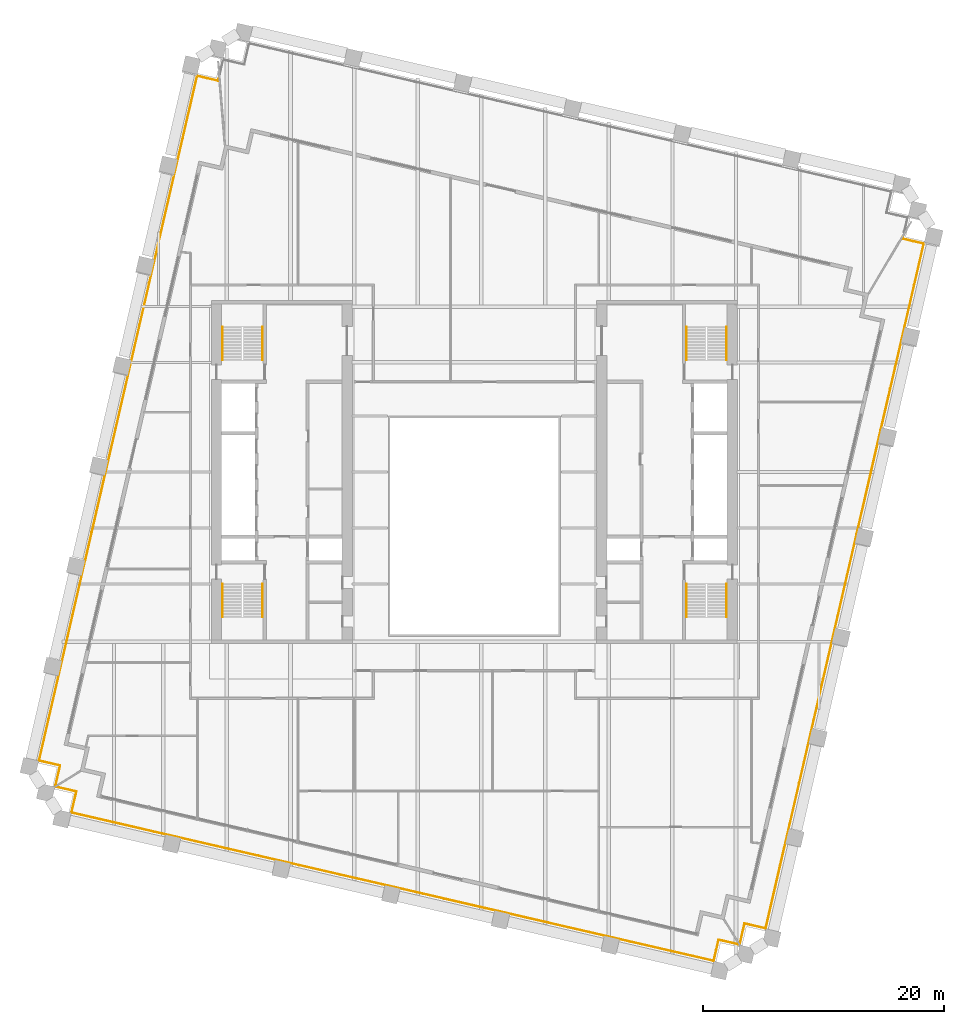
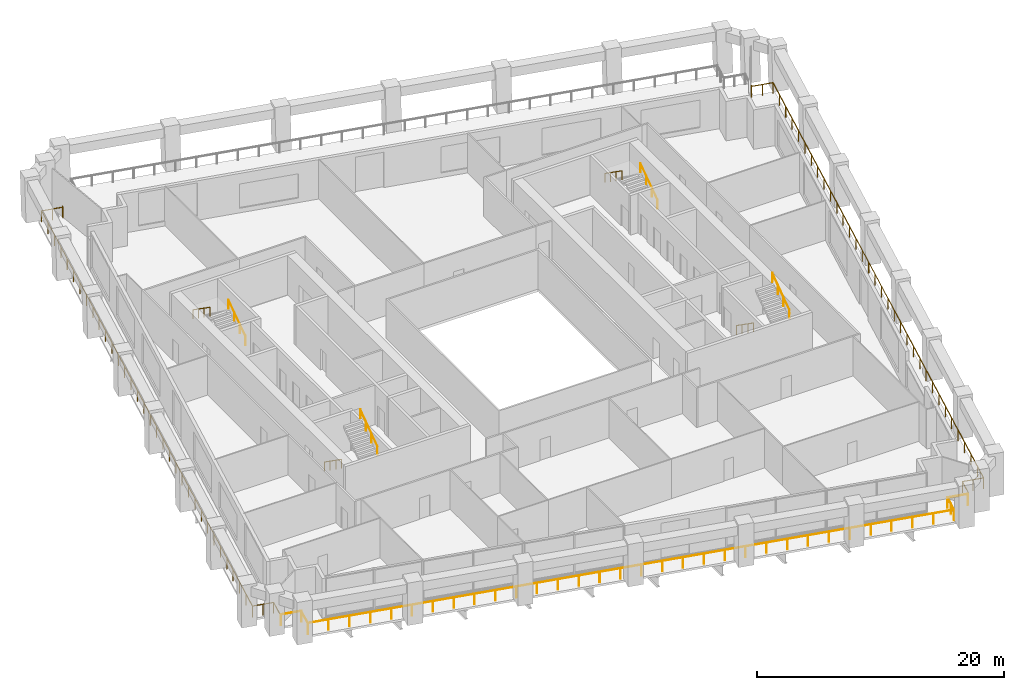
# One storey, part 11 of 12: 11 railings.
"""IFC4 building model written with IfcOpenShell, lengths in metres."""

import ifcopenshell
import ifcopenshell.guid

model = None  # the IFC model being written
_history = None  # IfcOwnerHistory: only IFC2X3 demands one
_inside = {}  # id of a spatial element -> (the spatial element, [elements in it])
_under = {}  # id of a project, library or spatial element -> (it, [spatial elements below it])
_declared = {}  # id of a project -> (the project, [libraries it declares])
_typed = {}  # id of a type object -> (the type object, [elements of that type])
_made_of = {}  # id of a material, layer set ... -> (it, [elements and type objects made of it])


def new_model(schema):
    """Start an empty IFC model of exactly this schema.

    Asked for "IFC4X3", IfcOpenShell would pick the latest addendum, in which some entities
    have other attributes; the version numbers below select the first issue.
    IFC2X3 requires an IfcOwnerHistory on every rooted entity: one is made here for all.
    """
    global model, _history
    if schema == "IFC4X3":
        model = ifcopenshell.file(schema_version=(4, 3, 0, 0))
    else:
        model = ifcopenshell.file(schema=schema)
    _inside.clear()
    _under.clear()
    _declared.clear()
    _typed.clear()
    _made_of.clear()
    _history = None
    if model.schema == "IFC2X3":
        org = make("IfcOrganization", Name="unknown")
        user = make(
            "IfcPersonAndOrganization",
            ThePerson=make("IfcPerson", FamilyName="unknown"),
            TheOrganization=org,
        )
        app = make(
            "IfcApplication",
            ApplicationDeveloper=org,
            Version="unknown",
            ApplicationFullName="unknown",
            ApplicationIdentifier="unknown",
        )
        _history = make(
            "IfcOwnerHistory",
            OwningUser=user,
            OwningApplication=app,
            ChangeAction="ADDED",
            CreationDate=0,
        )
    return model


def make(cls, **values):
    """One entity of the class cls with the attributes given. An attribute that is None is left unset."""
    return model.create_entity(
        cls, **{name: value for name, value in values.items() if value is not None}
    )


def rooted(cls, **values):
    """An entity with a GlobalId (a new one), such as an element, a storey or a relation."""
    return make(cls, GlobalId=ifcopenshell.guid.new(), OwnerHistory=_history, **values)


def si_unit(unit_type, name, prefix=None):
    """IfcSIUnit, for example si_unit("LENGTHUNIT", "METRE", prefix="MILLI")."""
    return make("IfcSIUnit", UnitType=unit_type, Prefix=prefix, Name=name)


def assignment(units):
    """IfcUnitAssignment: the units of a project."""
    return None if units is None else make("IfcUnitAssignment", Units=units)


def point(xyz):
    """IfcCartesianPoint."""
    return None if xyz is None else make("IfcCartesianPoint", Coordinates=xyz)


def direction(xyz):
    """IfcDirection."""
    return None if xyz is None else make("IfcDirection", DirectionRatios=xyz)


def frame(location, z_axis=None, x_axis=None):
    """IfcAxis2Placement3D, a coordinate frame: its origin and axes. An axis left out is left unset."""
    return make(
        "IfcAxis2Placement3D",
        Location=point(location),
        Axis=direction(z_axis),
        RefDirection=direction(x_axis),
    )


def frame_2d(location, x_axis=None):
    """IfcAxis2Placement2D, a coordinate frame in the plane: its origin and x axis."""
    return make(
        "IfcAxis2Placement2D", Location=point(location), RefDirection=direction(x_axis)
    )


def origin():
    """The frame at (0, 0, 0) with its axes left unset."""
    return frame((0.0, 0.0, 0.0))


def origin_2d():
    """The frame at (0, 0) in the plane with its x axis left unset."""
    return frame_2d((0.0, 0.0))


def place(relative_to, where):
    """IfcLocalPlacement: puts the frame where relative to a parent placement (None: the world)."""
    return make(
        "IfcLocalPlacement", PlacementRelTo=relative_to, RelativePlacement=where
    )


def context(
    kind, dimensions, precision=None, world=None, true_north=None, identifier=None
):
    """IfcGeometricRepresentationContext, for example the 3D "Model" context."""
    return make(
        "IfcGeometricRepresentationContext",
        ContextIdentifier=identifier,
        ContextType=kind,
        CoordinateSpaceDimension=dimensions,
        Precision=precision,
        WorldCoordinateSystem=world,
        TrueNorth=true_north,
    )


def subcontext(parent, identifier, kind, view, scale=None):
    """IfcGeometricRepresentationSubContext, for example "Body" below "Model"."""
    return make(
        "IfcGeometricRepresentationSubContext",
        ContextIdentifier=identifier,
        ContextType=kind,
        ParentContext=parent,
        TargetScale=scale,
        TargetView=view,
    )


def project(units=None, contexts=None):
    """IfcProject with its units and contexts."""
    return rooted(
        "IfcProject",
        Name="project",
        RepresentationContexts=contexts,
        UnitsInContext=assignment(units),
    )


def spatial(cls, under=None, at=None, **own):
    """A site, building, storey or space (cls), placed at a placement, below another one or the project."""
    s = rooted(cls, ObjectPlacement=at, **own)
    if under is not None:
        _under.setdefault(under.id(), (under, []))[1].append(s)
    return s


def profile(cls, at=None, kind="AREA", **sizes):
    """A parametric profile (cls). Its sizes go by their IFC names, for example OverallWidth=200.0."""
    return make(cls, ProfileType=kind, Position=at, **sizes)


def circle(**sizes):
    """IfcCircleProfileDef."""
    return profile("IfcCircleProfileDef", **sizes)


def extrude(swept, where, along, depth):
    """IfcExtrudedAreaSolid: the profile swept, set in the frame where, extruded along a direction by depth."""
    return make(
        "IfcExtrudedAreaSolid",
        SweptArea=swept,
        Position=where,
        ExtrudedDirection=direction(along),
        Depth=depth,
    )


def shape(context_of_items, identifier, shape_type, items):
    """IfcShapeRepresentation: the items that make up one representation, for example the "Body"."""
    return make(
        "IfcShapeRepresentation",
        ContextOfItems=context_of_items,
        RepresentationIdentifier=identifier,
        RepresentationType=shape_type,
        Items=items,
    )


def material(Name=None, Category=None):
    """IfcMaterial."""
    return make("IfcMaterial", Name=Name, Category=Category)


def made_of(thing, what):
    """Note that an element or type object is made of a material, layer set ...; save() writes the relation."""
    if what is not None:
        _made_of.setdefault(what.id(), (what, []))[1].append(thing)
    return thing


def type_object(cls, material=None, **own):
    """A type object (cls), such as IfcWallType, which elements share."""
    return made_of(rooted(cls, **own), material)


def element(
    cls,
    number,
    at=None,
    inside=None,
    cuts=None,
    type_object=None,
    material=None,
    context=None,
    identifier="Body",
    shape_type=None,
    held_by="IfcProductDefinitionShape",
    body=None,
    shapes=None,
    **own,
):
    """One element of the class cls, such as IfcWall. Its Tag is "e" and its number.

    at: its placement. inside: the storey or other place that contains it. cuts: it is an
    opening in that element (IfcRelVoidsElement). A single representation is given by context,
    identifier, shape_type and body (its items); several are given by shapes. held_by: the class
    of the entity that holds the representations. save() writes the other relations.
    """
    e = rooted(cls, Tag="e%d" % number, ObjectPlacement=at, **own)
    if body is not None:
        shapes = [shape(context, identifier, shape_type, body)]
    if shapes is not None:
        e.Representation = make(held_by, Representations=shapes)
    if inside is not None:
        _inside.setdefault(inside.id(), (inside, []))[1].append(e)
    if cuts is not None:
        rooted(
            "IfcRelVoidsElement", RelatingBuildingElement=cuts, RelatedOpeningElement=e
        )
    if type_object is not None:
        _typed.setdefault(type_object.id(), (type_object, []))[1].append(e)
    return made_of(e, material)


def aggregate(whole, parts):
    """IfcRelAggregates: a whole, such as a stair, and the parts it consists of."""
    return rooted("IfcRelAggregates", RelatingObject=whole, RelatedObjects=parts)


def save(model, path):
    """Write the relations noted so far, then the file.

    IfcRelAggregates (storeys below a building ...), IfcRelContainedInSpatialStructure (elements
    in a storey), IfcRelDefinesByType, IfcRelAssociatesMaterial and IfcRelDeclares: one each for
    every whole, place, type object, material and project.
    """
    for whole, parts in _under.values():
        aggregate(whole, parts)
    for where, things in _inside.values():
        rooted(
            "IfcRelContainedInSpatialStructure",
            RelatedElements=things,
            RelatingStructure=where,
        )
    for kind, things in _typed.values():
        rooted("IfcRelDefinesByType", RelatedObjects=things, RelatingType=kind)
    for what, things in _made_of.values():
        rooted("IfcRelAssociatesMaterial", RelatedObjects=things, RelatingMaterial=what)
    for by, libraries in _declared.values():
        rooted("IfcRelDeclares", RelatingContext=by, RelatedDefinitions=libraries)
    model.write(path)


model = new_model("IFC4")

# Units and contexts
model_context = context("Model", 3, precision=1e-05, world=origin(), true_north=direction((0.0, 1.0)))
body_context = subcontext(model_context, "Body", "Model", "MODEL_VIEW")
ifc_project = project(units=[si_unit("LENGTHUNIT", "METRE"), si_unit("AREAUNIT", "SQUARE_METRE"), si_unit("VOLUMEUNIT", "CUBIC_METRE"), si_unit("PLANEANGLEUNIT", "RADIAN"), si_unit("MASSUNIT", "GRAM", prefix="KILO")], contexts=[model_context])

# Site, building, storey
site_placement = place(None, origin())
site = spatial("IfcSite", under=ifc_project, at=site_placement, CompositionType="ELEMENT")
building_placement = place(site_placement, origin())
building = spatial("IfcBuilding", under=site, at=building_placement, Name="Ogive Exchange Tower", CompositionType="ELEMENT")
storey_placement = place(building_placement, frame((0.0, 0.0, 156.0)))
storey = spatial("IfcBuildingStorey", under=building, at=storey_placement, Name="L34", CompositionType="ELEMENT", Elevation=156.0)

# Railings
ifc_material_1 = material(Name="Stainless steel 316", Category="steel")
railing_type_1 = type_object("IfcRailingType", Name="Guard 1100 stainless steel and glass", PredefinedType="GUARDRAIL", material=ifc_material_1)
railing_1_placement = place(storey_placement, frame((21.947265625, -27.74462890625, -0.050048828125)))
element("IfcRailing", 1, at=railing_1_placement, inside=storey, type_object=railing_type_1, Name="Loggia guard 1", PredefinedType="GUARDRAIL", context=body_context, shape_type="SweptSolid", body=[
    extrude(circle(Radius=0.02392578125, at=origin_2d()), frame((0.0, 0.0, 1.076171875), z_axis=(-0.974396013545, 0.224838628327, 0.0), x_axis=(-0.224838628327, -0.974396013545, 0.0)), (0.0, 0.0, 1.0), 1.7080078125),
    extrude(circle(Radius=0.02392578125, at=origin_2d()), frame((-1.664306640625, 0.384033203125, 1.076171875), z_axis=(-0.225008086135, -0.974356896201, 0.0), x_axis=(0.974356896201, -0.225008086135, 0.0)), (0.0, 0.0, 1.0), 1.800048828125),
    extrude(circle(Radius=0.02392578125, at=origin_2d()), frame((-2.0693359375, -1.369873046875, 1.076171875), z_axis=(-0.974368873975, 0.224956212247, 0.0), x_axis=(-0.224956212247, -0.974368873975, 0.0)), (0.0, 0.0, 1.0), 54.760009765625),
    extrude(circle(Radius=0.02392578125, at=origin_2d()), frame((-55.42578125, 10.94873046875, 1.076171875), z_axis=(0.22503782496, 0.974350028141, 0.0), x_axis=(-0.974350028141, 0.22503782496, 0.0)), (0.0, 0.0, 1.0), 1.7998046875),
    extrude(circle(Radius=0.02392578125, at=origin_2d()), frame((-55.020751953125, 12.702392578125, 1.076171875), z_axis=(-0.974364690374, 0.224974332206, 0.0), x_axis=(-0.224974332206, -0.974364690374, 0.0)), (0.0, 0.0, 1.0), 1.7080078125),
    extrude(circle(Radius=0.02099609375, at=origin_2d()), origin(), (0.0, 0.0, 1.0), 1.052001953125),
    extrude(circle(Radius=0.02099609375, at=origin_2d()), frame((-1.664306640625, 0.384033203125, 0.0)), (0.0, 0.0, 1.0), 1.052001953125),
    extrude(circle(Radius=0.02099609375, at=origin_2d()), frame((-1.86669921875, -0.492919921875, 0.0)), (0.0, 0.0, 1.0), 1.052001953125),
    extrude(circle(Radius=0.02099609375, at=origin_2d()), frame((-2.0693359375, -1.369873046875, 0.0)), (0.0, 0.0, 1.0), 1.052001953125),
    extrude(circle(Radius=0.02099609375, at=origin_2d()), frame((-3.79052734375, -0.972412109375, 0.0)), (0.0, 0.0, 1.0), 1.052001953125),
    extrude(circle(Radius=0.02099609375, at=origin_2d()), frame((-5.51171875, -0.5751953125, 0.0)), (0.0, 0.0, 1.0), 1.052001953125),
    extrude(circle(Radius=0.02099609375, at=origin_2d()), frame((-7.23291015625, -0.177734375, 0.0)), (0.0, 0.0, 1.0), 1.052001953125),
    extrude(circle(Radius=0.02099609375, at=origin_2d()), frame((-8.9541015625, 0.2197265625, 0.0)), (0.0, 0.0, 1.0), 1.052001953125),
    extrude(circle(Radius=0.02099609375, at=origin_2d()), frame((-10.67529296875, 0.616943359375, 0.0)), (0.0, 0.0, 1.0), 1.052001953125),
    extrude(circle(Radius=0.02099609375, at=origin_2d()), frame((-12.396484375, 1.014404296875, 0.0)), (0.0, 0.0, 1.0), 1.052001953125),
    extrude(circle(Radius=0.02099609375, at=origin_2d()), frame((-14.11767578125, 1.411865234375, 0.0)), (0.0, 0.0, 1.0), 1.052001953125),
    extrude(circle(Radius=0.02099609375, at=origin_2d()), frame((-15.838623046875, 1.80908203125, 0.0)), (0.0, 0.0, 1.0), 1.052001953125),
    extrude(circle(Radius=0.02099609375, at=origin_2d()), frame((-17.559814453125, 2.20654296875, 0.0)), (0.0, 0.0, 1.0), 1.052001953125),
    extrude(circle(Radius=0.02099609375, at=origin_2d()), frame((-19.281005859375, 2.603759765625, 0.0)), (0.0, 0.0, 1.0), 1.052001953125),
    extrude(circle(Radius=0.02099609375, at=origin_2d()), frame((-21.002197265625, 3.001220703125, 0.0)), (0.0, 0.0, 1.0), 1.052001953125),
    extrude(circle(Radius=0.02099609375, at=origin_2d()), frame((-22.723388671875, 3.398681640625, 0.0)), (0.0, 0.0, 1.0), 1.052001953125),
    extrude(circle(Radius=0.02099609375, at=origin_2d()), frame((-24.444580078125, 3.7958984375, 0.0)), (0.0, 0.0, 1.0), 1.052001953125),
    extrude(circle(Radius=0.02099609375, at=origin_2d()), frame((-26.165771484375, 4.193359375, 0.0)), (0.0, 0.0, 1.0), 1.052001953125),
    extrude(circle(Radius=0.02099609375, at=origin_2d()), frame((-27.886962890625, 4.5908203125, 0.0)), (0.0, 0.0, 1.0), 1.052001953125),
    extrude(circle(Radius=0.02099609375, at=origin_2d()), frame((-29.608154296875, 4.988037109375, 0.0)), (0.0, 0.0, 1.0), 1.052001953125),
    extrude(circle(Radius=0.02099609375, at=origin_2d()), frame((-31.329345703125, 5.385498046875, 0.0)), (0.0, 0.0, 1.0), 1.052001953125),
    extrude(circle(Radius=0.02099609375, at=origin_2d()), frame((-33.050537109375, 5.782958984375, 0.0)), (0.0, 0.0, 1.0), 1.052001953125),
    extrude(circle(Radius=0.02099609375, at=origin_2d()), frame((-34.771728515625, 6.18017578125, 0.0)), (0.0, 0.0, 1.0), 1.052001953125),
    extrude(circle(Radius=0.02099609375, at=origin_2d()), frame((-36.492919921875, 6.57763671875, 0.0)), (0.0, 0.0, 1.0), 1.052001953125),
    extrude(circle(Radius=0.02099609375, at=origin_2d()), frame((-38.214111328125, 6.97509765625, 0.0)), (0.0, 0.0, 1.0), 1.052001953125),
    extrude(circle(Radius=0.02099609375, at=origin_2d()), frame((-39.935302734375, 7.372314453125, 0.0)), (0.0, 0.0, 1.0), 1.052001953125),
    extrude(circle(Radius=0.02099609375, at=origin_2d()), frame((-41.656494140625, 7.769775390625, 0.0)), (0.0, 0.0, 1.0), 1.052001953125),
    extrude(circle(Radius=0.02099609375, at=origin_2d()), frame((-43.37744140625, 8.1669921875, 0.0)), (0.0, 0.0, 1.0), 1.052001953125),
    extrude(circle(Radius=0.02099609375, at=origin_2d()), frame((-45.0986328125, 8.564453125, 0.0)), (0.0, 0.0, 1.0), 1.052001953125),
    extrude(circle(Radius=0.02099609375, at=origin_2d()), frame((-46.81982421875, 8.9619140625, 0.0)), (0.0, 0.0, 1.0), 1.052001953125),
    extrude(circle(Radius=0.02099609375, at=origin_2d()), frame((-48.541015625, 9.359130859375, 0.0)), (0.0, 0.0, 1.0), 1.052001953125),
    extrude(circle(Radius=0.02099609375, at=origin_2d()), frame((-50.26220703125, 9.756591796875, 0.0)), (0.0, 0.0, 1.0), 1.052001953125),
    extrude(circle(Radius=0.02099609375, at=origin_2d()), frame((-51.9833984375, 10.154052734375, 0.0)), (0.0, 0.0, 1.0), 1.052001953125),
    extrude(circle(Radius=0.02099609375, at=origin_2d()), frame((-53.70458984375, 10.55126953125, 0.0)), (0.0, 0.0, 1.0), 1.052001953125),
    extrude(circle(Radius=0.02099609375, at=origin_2d()), frame((-55.42578125, 10.94873046875, 0.0)), (0.0, 0.0, 1.0), 1.052001953125),
    extrude(circle(Radius=0.02099609375, at=origin_2d()), frame((-55.020751953125, 12.702392578125, 0.0)), (0.0, 0.0, 1.0), 1.052001953125),
    extrude(circle(Radius=0.02099609375, at=origin_2d()), frame((-56.68505859375, 13.086669921875, 0.0)), (0.0, 0.0, 1.0), 1.052001953125),
])
railing_2_placement = place(storey_placement, frame((-34.806884765625, -14.547607421875, -0.050048828125)))
element("IfcRailing", 2, at=railing_2_placement, inside=storey, type_object=railing_type_1, Name="Loggia guard 2", PredefinedType="GUARDRAIL", context=body_context, shape_type="SweptSolid", body=[
    extrude(circle(Radius=0.02392578125, at=origin_2d()), frame((0.0, 0.0, 1.076171875), z_axis=(0.224974332206, 0.974364690374, 0.0), x_axis=(-0.974364690374, 0.224974332206, 0.0)), (0.0, 0.0, 1.0), 1.7080078125),
    extrude(circle(Radius=0.02392578125, at=origin_2d()), frame((0.38427734375, 1.664306640625, 1.076171875), z_axis=(-0.974386623598, 0.224879318197, 0.0), x_axis=(-0.224879318197, -0.974386623598, 0.0)), (0.0, 0.0, 1.0), 1.800048828125),
    extrude(circle(Radius=0.02392578125, at=origin_2d()), frame((-1.36962890625, 2.069091796875, 1.076171875), z_axis=(0.224950815215, 0.974370119993, 0.0), x_axis=(-0.974370119993, 0.224950815215, 0.0)), (0.0, 0.0, 1.0), 58.387451171875),
    extrude(circle(Radius=0.02392578125, at=origin_2d()), frame((11.7646484375, 58.9599609375, 1.076171875), z_axis=(0.974356896201, -0.225008086135, 0.0), x_axis=(0.225008086135, 0.974356896201, 0.0)), (0.0, 0.0, 1.0), 1.800048828125),
    extrude(circle(Radius=0.02392578125, at=origin_2d()), frame((13.5185546875, 58.554931640625, 1.076171875), z_axis=(0.225435144535, 0.974258177081, 0.0), x_axis=(-0.974258177081, 0.225435144535, 0.0)), (0.0, 0.0, 1.0), 0.15478515625),
    extrude(circle(Radius=0.02099609375, at=origin_2d()), origin(), (0.0, 0.0, 1.0), 1.052001953125),
    extrude(circle(Radius=0.02099609375, at=origin_2d()), frame((0.38427734375, 1.664306640625, 0.0)), (0.0, 0.0, 1.0), 1.052001953125),
    extrude(circle(Radius=0.02099609375, at=origin_2d()), frame((-0.49267578125, 1.86669921875, 0.0)), (0.0, 0.0, 1.0), 1.052001953125),
    extrude(circle(Radius=0.02099609375, at=origin_2d()), frame((-1.36962890625, 2.069091796875, 0.0)), (0.0, 0.0, 1.0), 1.052001953125),
    extrude(circle(Radius=0.02099609375, at=origin_2d()), frame((-0.9716796875, 3.79296875, 0.0)), (0.0, 0.0, 1.0), 1.052001953125),
    extrude(circle(Radius=0.02099609375, at=origin_2d()), frame((-0.57373046875, 5.51708984375, 0.0)), (0.0, 0.0, 1.0), 1.052001953125),
    extrude(circle(Radius=0.02099609375, at=origin_2d()), frame((-0.175537109375, 7.240966796875, 0.0)), (0.0, 0.0, 1.0), 1.052001953125),
    extrude(circle(Radius=0.02099609375, at=origin_2d()), frame((0.222412109375, 8.96484375, 0.0)), (0.0, 0.0, 1.0), 1.052001953125),
    extrude(circle(Radius=0.02099609375, at=origin_2d()), frame((0.620361328125, 10.68896484375, 0.0)), (0.0, 0.0, 1.0), 1.052001953125),
    extrude(circle(Radius=0.02099609375, at=origin_2d()), frame((1.018310546875, 12.412841796875, 0.0)), (0.0, 0.0, 1.0), 1.052001953125),
    extrude(circle(Radius=0.02099609375, at=origin_2d()), frame((1.41650390625, 14.136962890625, 0.0)), (0.0, 0.0, 1.0), 1.052001953125),
    extrude(circle(Radius=0.02099609375, at=origin_2d()), frame((1.814453125, 15.86083984375, 0.0)), (0.0, 0.0, 1.0), 1.052001953125),
    extrude(circle(Radius=0.02099609375, at=origin_2d()), frame((2.21240234375, 17.584716796875, 0.0)), (0.0, 0.0, 1.0), 1.052001953125),
    extrude(circle(Radius=0.02099609375, at=origin_2d()), frame((2.6103515625, 19.308837890625, 0.0)), (0.0, 0.0, 1.0), 1.052001953125),
    extrude(circle(Radius=0.02099609375, at=origin_2d()), frame((3.008544921875, 21.03271484375, 0.0)), (0.0, 0.0, 1.0), 1.052001953125),
    extrude(circle(Radius=0.02099609375, at=origin_2d()), frame((3.406494140625, 22.756591796875, 0.0)), (0.0, 0.0, 1.0), 1.052001953125),
    extrude(circle(Radius=0.02099609375, at=origin_2d()), frame((3.804443359375, 24.480712890625, 0.0)), (0.0, 0.0, 1.0), 1.052001953125),
    extrude(circle(Radius=0.02099609375, at=origin_2d()), frame((4.202392578125, 26.20458984375, 0.0)), (0.0, 0.0, 1.0), 1.052001953125),
    extrude(circle(Radius=0.02099609375, at=origin_2d()), frame((4.6005859375, 27.928466796875, 0.0)), (0.0, 0.0, 1.0), 1.052001953125),
    extrude(circle(Radius=0.02099609375, at=origin_2d()), frame((4.99853515625, 29.652587890625, 0.0)), (0.0, 0.0, 1.0), 1.052001953125),
    extrude(circle(Radius=0.02099609375, at=origin_2d()), frame((5.396484375, 31.37646484375, 0.0)), (0.0, 0.0, 1.0), 1.052001953125),
    extrude(circle(Radius=0.02099609375, at=origin_2d()), frame((5.79443359375, 33.1005859375, 0.0)), (0.0, 0.0, 1.0), 1.052001953125),
    extrude(circle(Radius=0.02099609375, at=origin_2d()), frame((6.192626953125, 34.824462890625, 0.0)), (0.0, 0.0, 1.0), 1.052001953125),
    extrude(circle(Radius=0.02099609375, at=origin_2d()), frame((6.590576171875, 36.54833984375, 0.0)), (0.0, 0.0, 1.0), 1.052001953125),
    extrude(circle(Radius=0.02099609375, at=origin_2d()), frame((6.988525390625, 38.2724609375, 0.0)), (0.0, 0.0, 1.0), 1.052001953125),
    extrude(circle(Radius=0.02099609375, at=origin_2d()), frame((7.386474609375, 39.996337890625, 0.0)), (0.0, 0.0, 1.0), 1.052001953125),
    extrude(circle(Radius=0.02099609375, at=origin_2d()), frame((7.78466796875, 41.72021484375, 0.0)), (0.0, 0.0, 1.0), 1.052001953125),
    extrude(circle(Radius=0.02099609375, at=origin_2d()), frame((8.1826171875, 43.4443359375, 0.0)), (0.0, 0.0, 1.0), 1.052001953125),
    extrude(circle(Radius=0.02099609375, at=origin_2d()), frame((8.58056640625, 45.168212890625, 0.0)), (0.0, 0.0, 1.0), 1.052001953125),
    extrude(circle(Radius=0.02099609375, at=origin_2d()), frame((8.978515625, 46.89208984375, 0.0)), (0.0, 0.0, 1.0), 1.052001953125),
    extrude(circle(Radius=0.02099609375, at=origin_2d()), frame((9.376708984375, 48.6162109375, 0.0)), (0.0, 0.0, 1.0), 1.052001953125),
    extrude(circle(Radius=0.02099609375, at=origin_2d()), frame((9.774658203125, 50.340087890625, 0.0)), (0.0, 0.0, 1.0), 1.052001953125),
    extrude(circle(Radius=0.02099609375, at=origin_2d()), frame((10.172607421875, 52.064208984375, 0.0)), (0.0, 0.0, 1.0), 1.052001953125),
    extrude(circle(Radius=0.02099609375, at=origin_2d()), frame((10.570556640625, 53.7880859375, 0.0)), (0.0, 0.0, 1.0), 1.052001953125),
    extrude(circle(Radius=0.02099609375, at=origin_2d()), frame((10.96875, 55.511962890625, 0.0)), (0.0, 0.0, 1.0), 1.052001953125),
    extrude(circle(Radius=0.02099609375, at=origin_2d()), frame((11.36669921875, 57.236083984375, 0.0)), (0.0, 0.0, 1.0), 1.052001953125),
    extrude(circle(Radius=0.02099609375, at=origin_2d()), frame((11.7646484375, 58.9599609375, 0.0)), (0.0, 0.0, 1.0), 1.052001953125),
    extrude(circle(Radius=0.02099609375, at=origin_2d()), frame((12.6416015625, 58.75732421875, 0.0)), (0.0, 0.0, 1.0), 1.052001953125),
    extrude(circle(Radius=0.02099609375, at=origin_2d()), frame((13.5185546875, 58.554931640625, 0.0)), (0.0, 0.0, 1.0), 1.052001953125),
    extrude(circle(Radius=0.02099609375, at=origin_2d()), frame((13.553466796875, 58.705810546875, 0.0)), (0.0, 0.0, 1.0), 1.052001953125),
])
railing_3_placement = place(storey_placement, frame((35.610595703125, 31.030029296875, -0.050048828125)))
element("IfcRailing", 3, at=railing_3_placement, inside=storey, type_object=railing_type_1, Name="Loggia guard 4", PredefinedType="GUARDRAIL", context=body_context, shape_type="SweptSolid", body=[
    extrude(circle(Radius=0.02392578125, at=origin_2d()), frame((0.0, 0.0, 1.076171875), z_axis=(-0.2242826998, -0.974524125186, 0.0), x_axis=(0.974524125186, -0.2242826998, 0.0)), (0.0, 0.0, 1.0), 0.154541015625),
    extrude(circle(Radius=0.02392578125, at=origin_2d()), frame((-0.03466796875, -0.150634765625, 1.076171875), z_axis=(0.974356896201, -0.225008086135, 0.0), x_axis=(0.225008086135, 0.974356896201, 0.0)), (0.0, 0.0, 1.0), 1.800048828125),
    extrude(circle(Radius=0.02392578125, at=origin_2d()), frame((1.71923828125, -0.5556640625, 1.076171875), z_axis=(-0.224950815215, -0.974370119993, 0.0), x_axis=(0.974370119993, -0.224950815215, 0.0)), (0.0, 0.0, 1.0), 58.387451171875),
    extrude(circle(Radius=0.02392578125, at=origin_2d()), frame((-11.4150390625, -57.446533203125, 1.076171875), z_axis=(-0.974356896201, 0.225008086135, 0.0), x_axis=(-0.225008086135, -0.974356896201, 0.0)), (0.0, 0.0, 1.0), 1.800048828125),
    extrude(circle(Radius=0.02392578125, at=origin_2d()), frame((-13.1689453125, -57.04150390625, 1.076171875), z_axis=(-0.224974332206, -0.974364690374, 0.0), x_axis=(0.974364690374, -0.224974332206, 0.0)), (0.0, 0.0, 1.0), 1.7080078125),
    extrude(circle(Radius=0.02099609375, at=origin_2d()), origin(), (0.0, 0.0, 1.0), 1.052001953125),
    extrude(circle(Radius=0.02099609375, at=origin_2d()), frame((-0.03466796875, -0.150634765625, 0.0)), (0.0, 0.0, 1.0), 1.052001953125),
    extrude(circle(Radius=0.02099609375, at=origin_2d()), frame((0.84228515625, -0.35302734375, 0.0)), (0.0, 0.0, 1.0), 1.052001953125),
    extrude(circle(Radius=0.02099609375, at=origin_2d()), frame((1.71923828125, -0.5556640625, 0.0)), (0.0, 0.0, 1.0), 1.052001953125),
    extrude(circle(Radius=0.02099609375, at=origin_2d()), frame((1.3212890625, -2.279541015625, 0.0)), (0.0, 0.0, 1.0), 1.052001953125),
    extrude(circle(Radius=0.02099609375, at=origin_2d()), frame((0.92333984375, -4.003662109375, 0.0)), (0.0, 0.0, 1.0), 1.052001953125),
    extrude(circle(Radius=0.02099609375, at=origin_2d()), frame((0.525146484375, -5.7275390625, 0.0)), (0.0, 0.0, 1.0), 1.052001953125),
    extrude(circle(Radius=0.02099609375, at=origin_2d()), frame((0.127197265625, -7.451416015625, 0.0)), (0.0, 0.0, 1.0), 1.052001953125),
    extrude(circle(Radius=0.02099609375, at=origin_2d()), frame((-0.270751953125, -9.175537109375, 0.0)), (0.0, 0.0, 1.0), 1.052001953125),
    extrude(circle(Radius=0.02099609375, at=origin_2d()), frame((-0.668701171875, -10.8994140625, 0.0)), (0.0, 0.0, 1.0), 1.052001953125),
    extrude(circle(Radius=0.02099609375, at=origin_2d()), frame((-1.06689453125, -12.62353515625, 0.0)), (0.0, 0.0, 1.0), 1.052001953125),
    extrude(circle(Radius=0.02099609375, at=origin_2d()), frame((-1.46484375, -14.347412109375, 0.0)), (0.0, 0.0, 1.0), 1.052001953125),
    extrude(circle(Radius=0.02099609375, at=origin_2d()), frame((-1.86279296875, -16.0712890625, 0.0)), (0.0, 0.0, 1.0), 1.052001953125),
    extrude(circle(Radius=0.02099609375, at=origin_2d()), frame((-2.2607421875, -17.79541015625, 0.0)), (0.0, 0.0, 1.0), 1.052001953125),
    extrude(circle(Radius=0.02099609375, at=origin_2d()), frame((-2.658935546875, -19.519287109375, 0.0)), (0.0, 0.0, 1.0), 1.052001953125),
    extrude(circle(Radius=0.02099609375, at=origin_2d()), frame((-3.056884765625, -21.2431640625, 0.0)), (0.0, 0.0, 1.0), 1.052001953125),
    extrude(circle(Radius=0.02099609375, at=origin_2d()), frame((-3.454833984375, -22.96728515625, 0.0)), (0.0, 0.0, 1.0), 1.052001953125),
    extrude(circle(Radius=0.02099609375, at=origin_2d()), frame((-3.852783203125, -24.691162109375, 0.0)), (0.0, 0.0, 1.0), 1.052001953125),
    extrude(circle(Radius=0.02099609375, at=origin_2d()), frame((-4.2509765625, -26.4150390625, 0.0)), (0.0, 0.0, 1.0), 1.052001953125),
    extrude(circle(Radius=0.02099609375, at=origin_2d()), frame((-4.64892578125, -28.13916015625, 0.0)), (0.0, 0.0, 1.0), 1.052001953125),
    extrude(circle(Radius=0.02099609375, at=origin_2d()), frame((-5.046875, -29.863037109375, 0.0)), (0.0, 0.0, 1.0), 1.052001953125),
    extrude(circle(Radius=0.02099609375, at=origin_2d()), frame((-5.44482421875, -31.587158203125, 0.0)), (0.0, 0.0, 1.0), 1.052001953125),
    extrude(circle(Radius=0.02099609375, at=origin_2d()), frame((-5.843017578125, -33.31103515625, 0.0)), (0.0, 0.0, 1.0), 1.052001953125),
    extrude(circle(Radius=0.02099609375, at=origin_2d()), frame((-6.240966796875, -35.034912109375, 0.0)), (0.0, 0.0, 1.0), 1.052001953125),
    extrude(circle(Radius=0.02099609375, at=origin_2d()), frame((-6.638916015625, -36.759033203125, 0.0)), (0.0, 0.0, 1.0), 1.052001953125),
    extrude(circle(Radius=0.02099609375, at=origin_2d()), frame((-7.036865234375, -38.48291015625, 0.0)), (0.0, 0.0, 1.0), 1.052001953125),
    extrude(circle(Radius=0.02099609375, at=origin_2d()), frame((-7.43505859375, -40.206787109375, 0.0)), (0.0, 0.0, 1.0), 1.052001953125),
    extrude(circle(Radius=0.02099609375, at=origin_2d()), frame((-7.8330078125, -41.930908203125, 0.0)), (0.0, 0.0, 1.0), 1.052001953125),
    extrude(circle(Radius=0.02099609375, at=origin_2d()), frame((-8.23095703125, -43.65478515625, 0.0)), (0.0, 0.0, 1.0), 1.052001953125),
    extrude(circle(Radius=0.02099609375, at=origin_2d()), frame((-8.62890625, -45.378662109375, 0.0)), (0.0, 0.0, 1.0), 1.052001953125),
    extrude(circle(Radius=0.02099609375, at=origin_2d()), frame((-9.027099609375, -47.102783203125, 0.0)), (0.0, 0.0, 1.0), 1.052001953125),
    extrude(circle(Radius=0.02099609375, at=origin_2d()), frame((-9.425048828125, -48.82666015625, 0.0)), (0.0, 0.0, 1.0), 1.052001953125),
    extrude(circle(Radius=0.02099609375, at=origin_2d()), frame((-9.822998046875, -50.55078125, 0.0)), (0.0, 0.0, 1.0), 1.052001953125),
    extrude(circle(Radius=0.02099609375, at=origin_2d()), frame((-10.220947265625, -52.274658203125, 0.0)), (0.0, 0.0, 1.0), 1.052001953125),
    extrude(circle(Radius=0.02099609375, at=origin_2d()), frame((-10.619140625, -53.99853515625, 0.0)), (0.0, 0.0, 1.0), 1.052001953125),
    extrude(circle(Radius=0.02099609375, at=origin_2d()), frame((-11.01708984375, -55.72265625, 0.0)), (0.0, 0.0, 1.0), 1.052001953125),
    extrude(circle(Radius=0.02099609375, at=origin_2d()), frame((-11.4150390625, -57.446533203125, 0.0)), (0.0, 0.0, 1.0), 1.052001953125),
    extrude(circle(Radius=0.02099609375, at=origin_2d()), frame((-12.2919921875, -57.244140625, 0.0)), (0.0, 0.0, 1.0), 1.052001953125),
    extrude(circle(Radius=0.02099609375, at=origin_2d()), frame((-13.1689453125, -57.04150390625, 0.0)), (0.0, 0.0, 1.0), 1.052001953125),
    extrude(circle(Radius=0.02099609375, at=origin_2d()), frame((-13.55322265625, -58.705810546875, 0.0)), (0.0, 0.0, 1.0), 1.052001953125),
])
ifc_material_2 = material(Name="Stainless steel", Category="steel")
railing_type_2 = type_object("IfcRailingType", Name="Stair handrail 900", PredefinedType="HANDRAIL", material=ifc_material_2)
railing_4_placement = place(storey_placement, frame((-20.949951171875, 2.199951171875, 0.175048828125)))
element("IfcRailing", 4, at=railing_4_placement, inside=storey, type_object=railing_type_2, Name="L34 ST1 stair handrail 1", PredefinedType="HANDRAIL", context=body_context, shape_type="SweptSolid", body=[
    extrude(circle(Radius=0.02392578125, at=origin_2d()), frame((0.0, 0.0, 0.8759765625), z_axis=(0.0, -0.819225086817, 0.573472106672), x_axis=(1.0, 0.0, 0.0)), (0.0, 0.0, 1.0), 3.35693359375),
    extrude(circle(Radius=0.02099609375, at=origin_2d()), origin(), (0.0, 0.0, 1.0), 0.851806640625),
    extrude(circle(Radius=0.02099609375, at=origin_2d()), frame((0.0, -0.916748046875, 0.6416015625)), (0.0, 0.0, 1.0), 0.851806640625),
    extrude(circle(Radius=0.02099609375, at=origin_2d()), frame((0.0, -1.833251953125, 1.283447265625)), (0.0, 0.0, 1.0), 0.851806640625),
    extrude(circle(Radius=0.02099609375, at=origin_2d()), frame((0.0, -2.75, 1.925048828125)), (0.0, 0.0, 1.0), 0.851806640625),
])
for number, where, name in (
    (5, (-17.60009765625, -0.550048828125, 2.27490234375), "L34 ST1 stair handrail 2"),
    (6, (-17.60009765625, 20.800048828125, 0.175048828125), "L34 ST2 stair handrail 1"),
):
    element("IfcRailing", number, at=place(storey_placement, frame(where)), inside=storey, type_object=railing_type_2, Name=name, PredefinedType="HANDRAIL", context=body_context, shape_type="SweptSolid", body=[
        extrude(circle(Radius=0.02392578125, at=origin_2d()), frame((0.0, 0.0, 0.8759765625), z_axis=(0.0, 0.819225086817, 0.573472106672), x_axis=(-1.0, 0.0, 0.0)), (0.0, 0.0, 1.0), 3.35693359375),
        extrude(circle(Radius=0.02099609375, at=origin_2d()), origin(), (0.0, 0.0, 1.0), 0.851806640625),
        extrude(circle(Radius=0.02099609375, at=origin_2d()), frame((0.0, 0.916748046875, 0.6416015625)), (0.0, 0.0, 1.0), 0.851806640625),
        extrude(circle(Radius=0.02099609375, at=origin_2d()), frame((0.0, 1.833251953125, 1.283447265625)), (0.0, 0.0, 1.0), 0.851806640625),
        extrude(circle(Radius=0.02099609375, at=origin_2d()), frame((0.0, 2.75, 1.925048828125)), (0.0, 0.0, 1.0), 0.851806640625),
    ])
for number, where, name in (
    (7, (-20.949951171875, 23.550048828125, 2.27490234375), "L34 ST2 stair handrail 2"),
    (8, (17.60009765625, 2.199951171875, 0.175048828125), "L34 ST3 stair handrail 1"),
):
    element("IfcRailing", number, at=place(storey_placement, frame(where)), inside=storey, type_object=railing_type_2, Name=name, PredefinedType="HANDRAIL", context=body_context, shape_type="SweptSolid", body=[
        extrude(circle(Radius=0.02392578125, at=origin_2d()), frame((0.0, 0.0, 0.8759765625), z_axis=(0.0, -0.819225086817, 0.573472106672), x_axis=(1.0, 0.0, 0.0)), (0.0, 0.0, 1.0), 3.35693359375),
        extrude(circle(Radius=0.02099609375, at=origin_2d()), origin(), (0.0, 0.0, 1.0), 0.851806640625),
        extrude(circle(Radius=0.02099609375, at=origin_2d()), frame((0.0, -0.916748046875, 0.6416015625)), (0.0, 0.0, 1.0), 0.851806640625),
        extrude(circle(Radius=0.02099609375, at=origin_2d()), frame((0.0, -1.833251953125, 1.283447265625)), (0.0, 0.0, 1.0), 0.851806640625),
        extrude(circle(Radius=0.02099609375, at=origin_2d()), frame((0.0, -2.75, 1.925048828125)), (0.0, 0.0, 1.0), 0.851806640625),
    ])
for number, where, name in (
    (9, (20.949951171875, -0.550048828125, 2.27490234375), "L34 ST3 stair handrail 2"),
    (10, (20.949951171875, 20.800048828125, 0.175048828125), "L34 ST4 stair handrail 1"),
):
    element("IfcRailing", number, at=place(storey_placement, frame(where)), inside=storey, type_object=railing_type_2, Name=name, PredefinedType="HANDRAIL", context=body_context, shape_type="SweptSolid", body=[
        extrude(circle(Radius=0.02392578125, at=origin_2d()), frame((0.0, 0.0, 0.8759765625), z_axis=(0.0, 0.819225086817, 0.573472106672), x_axis=(-1.0, 0.0, 0.0)), (0.0, 0.0, 1.0), 3.35693359375),
        extrude(circle(Radius=0.02099609375, at=origin_2d()), origin(), (0.0, 0.0, 1.0), 0.851806640625),
        extrude(circle(Radius=0.02099609375, at=origin_2d()), frame((0.0, 0.916748046875, 0.6416015625)), (0.0, 0.0, 1.0), 0.851806640625),
        extrude(circle(Radius=0.02099609375, at=origin_2d()), frame((0.0, 1.833251953125, 1.283447265625)), (0.0, 0.0, 1.0), 0.851806640625),
        extrude(circle(Radius=0.02099609375, at=origin_2d()), frame((0.0, 2.75, 1.925048828125)), (0.0, 0.0, 1.0), 0.851806640625),
    ])
railing_5_placement = place(storey_placement, frame((17.60009765625, 23.550048828125, 2.27490234375)))
element("IfcRailing", 11, at=railing_5_placement, inside=storey, type_object=railing_type_2, Name="L34 ST4 stair handrail 2", PredefinedType="HANDRAIL", context=body_context, shape_type="SweptSolid", body=[
    extrude(circle(Radius=0.02392578125, at=origin_2d()), frame((0.0, 0.0, 0.8759765625), z_axis=(0.0, -0.819225086817, 0.573472106672), x_axis=(1.0, 0.0, 0.0)), (0.0, 0.0, 1.0), 3.35693359375),
    extrude(circle(Radius=0.02099609375, at=origin_2d()), origin(), (0.0, 0.0, 1.0), 0.851806640625),
    extrude(circle(Radius=0.02099609375, at=origin_2d()), frame((0.0, -0.916748046875, 0.6416015625)), (0.0, 0.0, 1.0), 0.851806640625),
    extrude(circle(Radius=0.02099609375, at=origin_2d()), frame((0.0, -1.833251953125, 1.283447265625)), (0.0, 0.0, 1.0), 0.851806640625),
    extrude(circle(Radius=0.02099609375, at=origin_2d()), frame((0.0, -2.75, 1.925048828125)), (0.0, 0.0, 1.0), 0.851806640625),
])

save(model, "model.ifc")
